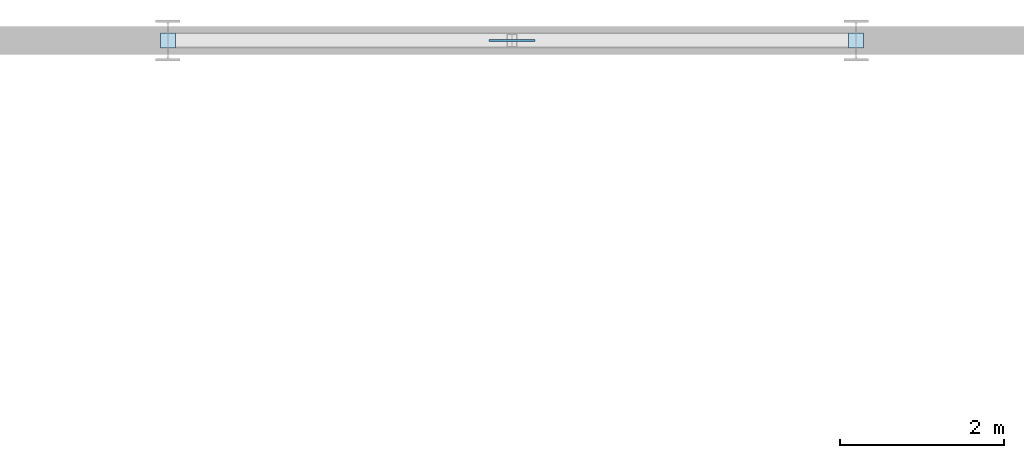
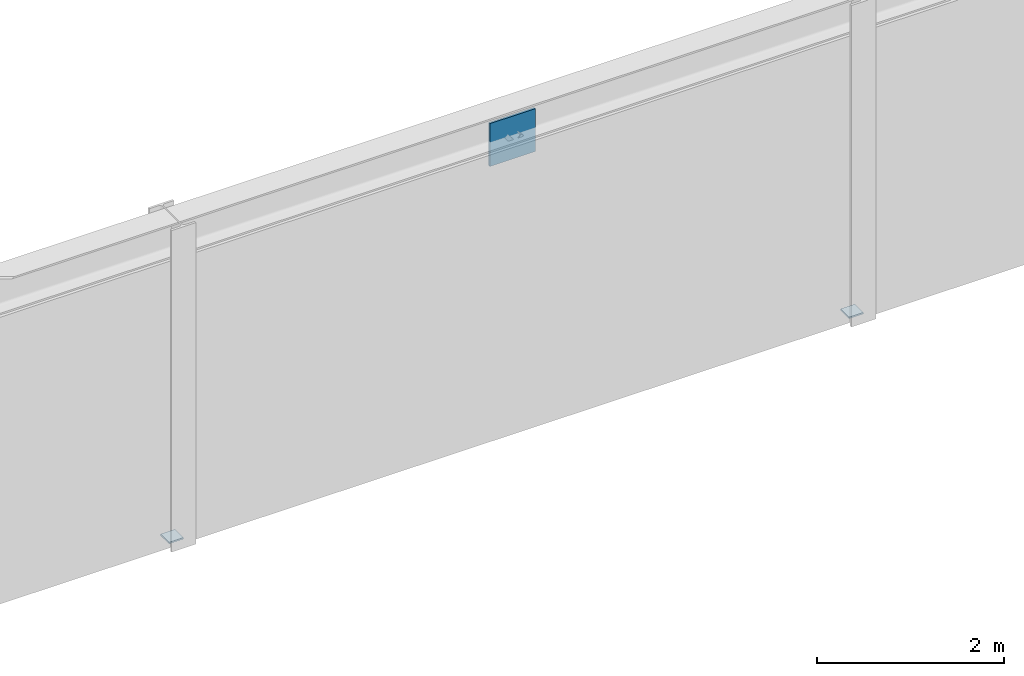
# One storey, part 60 of 109: 3 plates.
"""IFC4 building model written with IfcOpenShell, lengths in metres."""

from ifc_helpers import new_model, si_unit, derived_unit, direction, frame, origin, origin_2d, place, context, subcontext, project, spatial, rectangle, extrude, material, layer, layer_set, type_object, element, save


model = new_model("IFC4")

# Units and contexts
model_context = context("Model", 3, precision=1e-05, world=origin(), true_north=direction((0.0, 1.0)))
body_context = subcontext(model_context, "Body", "Model", "MODEL_VIEW")
ifc_project = project(units=[si_unit("LENGTHUNIT", "METRE"), si_unit("AREAUNIT", "SQUARE_METRE"), si_unit("VOLUMEUNIT", "CUBIC_METRE"), si_unit("PLANEANGLEUNIT", "RADIAN"), si_unit("MASSUNIT", "GRAM", prefix="KILO"), derived_unit("THERMALTRANSMITTANCEUNIT", [(si_unit("MASSUNIT", "GRAM", prefix="KILO"), 1), (si_unit("TIMEUNIT", "SECOND"), -3), (si_unit("THERMODYNAMICTEMPERATUREUNIT", "KELVIN"), -1)])], contexts=[model_context])

# Site, building, storey
site_placement = place(None, origin())
site = spatial("IfcSite", under=ifc_project, at=site_placement, CompositionType="ELEMENT")
building_placement = place(site_placement, origin())
building = spatial("IfcBuilding", under=site, at=building_placement, Name="Kharveza Railside Sports Centre", CompositionType="ELEMENT")
storey_placement = place(building_placement, frame((0.0, 0.0, 4.5)))
storey = spatial("IfcBuildingStorey", under=building, at=storey_placement, Name="L01", CompositionType="ELEMENT", Elevation=4.5)

# Plates
ifc_material = material(Name="Steel S355J2", Category="steel")
ifc_layer_1 = layer(ifc_material, 0.02001953125, Name="Steel S355J2")
ifc_layer_set_1 = layer_set([ifc_layer_1], Name="Steel S355J2")
plate_type_1 = type_object("IfcPlateType", Name="PL-EC10", PredefinedType="USERDEFINED", material=ifc_layer_set_1)
for number, where, z_axis, x_axis, name in (
    (1, (117.60009765625, 108.0, -0.010009765625), (0.0, 0.0, 1.0), (1.0, 0.0, 0.0), "PLT-EC-154"),
    (2, (126.0, 108.0, -0.010009765625), (0.0, 0.0, 1.0), (1.0, 0.0, 0.0), "PLT-EC-155"),
):
    element("IfcPlate", number, at=place(storey_placement, frame(where, z_axis=z_axis, x_axis=x_axis)), inside=storey, type_object=plate_type_1, Name=name, ObjectType="END_CAP_PLATE", PredefinedType="USERDEFINED", context=body_context, shape_type="SweptSolid", body=[
        extrude(rectangle(XDim=0.179931640625, YDim=0.179931640625, at=origin_2d()), origin(), (0.0, 0.0, 1.0), 0.02001953125),
    ])
ifc_layer_2 = layer(ifc_material, 0.028076171875, Name="Steel S355J2")
ifc_layer_set_2 = layer_set([ifc_layer_2], Name="Steel S355J2")
plate_type_2 = type_object("IfcPlateType", Name="PL-GS05", PredefinedType="USERDEFINED", material=ifc_layer_set_2)
plate_placement = place(storey_placement, frame((121.800048828125, 108.0, 3.469970703125), z_axis=(0.0, 0.0, 1.0), x_axis=(1.0, 0.0, 0.0)))
element("IfcPlate", 3, at=plate_placement, inside=storey, type_object=plate_type_2, Name="PLT-GS-CHEV-005", ObjectType="GUSSET_PLATE", PredefinedType="USERDEFINED", context=body_context, shape_type="SweptSolid", body=[
    extrude(rectangle(XDim=0.56005859375, YDim=0.028076171875, at=origin_2d()), origin(), (0.0, 0.0, 1.0), 0.56005859375),
])

save(model, "model.ifc")
